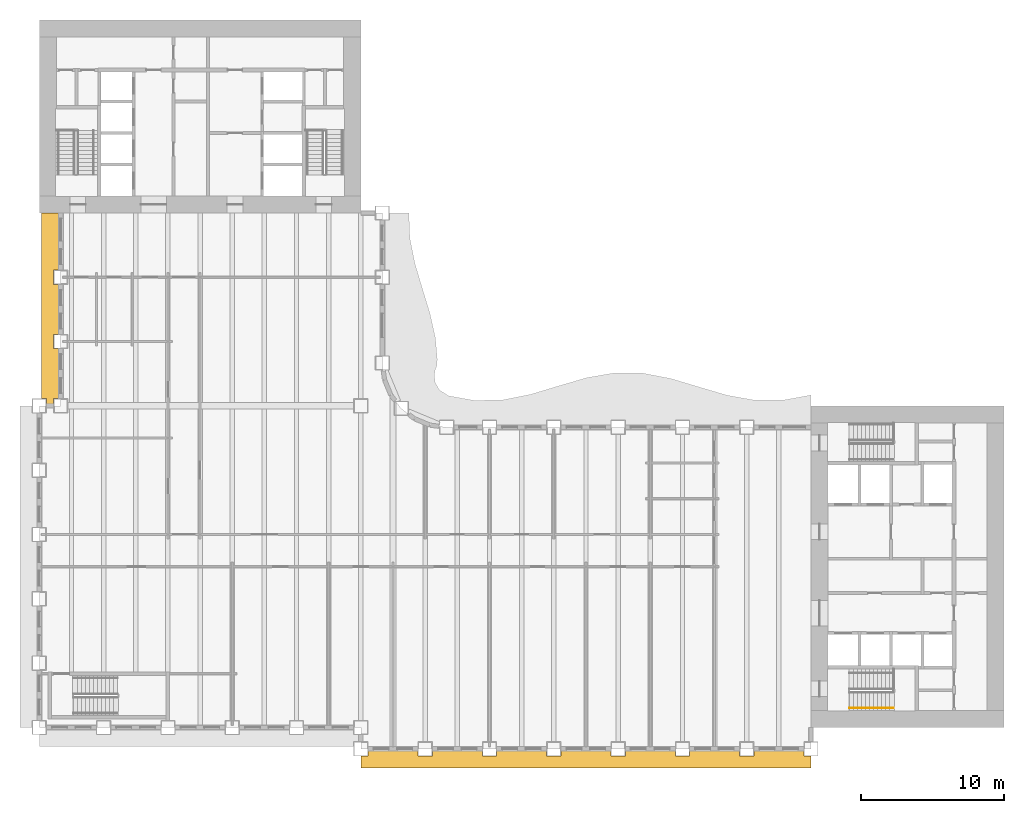
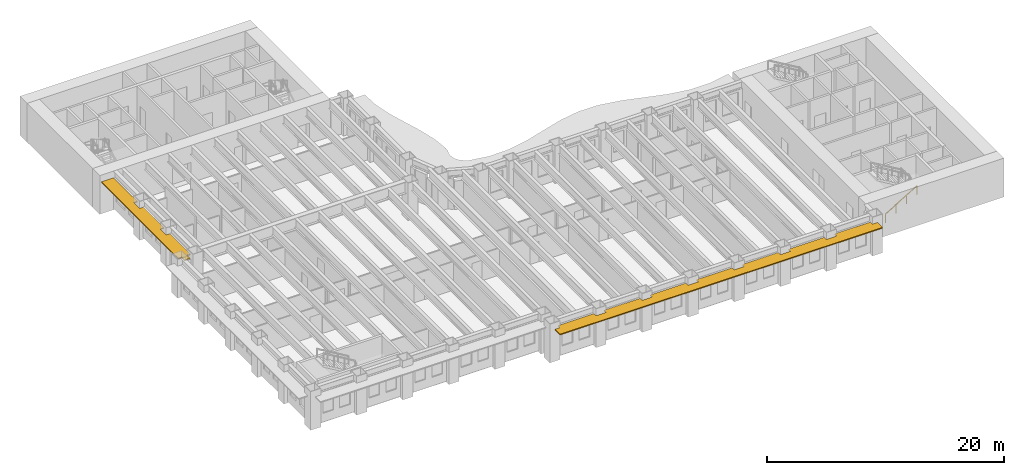
# One storey, part 12 of 16: 2 shading devices, 1 railing.
"""IFC4 building model written with IfcOpenShell, lengths in metres."""

from ifc_helpers import new_model, si_unit, direction, frame, origin, origin_2d, place, context, subcontext, project, spatial, polyline, rectangle, outline, extrude, material, layer, layer_set, type_object, element, save


model = new_model("IFC4")

# Units and contexts
model_context = context("Model", 3, precision=1e-05, world=origin(), true_north=direction((0.0, 1.0)))
body_context = subcontext(model_context, "Body", "Model", "MODEL_VIEW")
ifc_project = project(units=[si_unit("LENGTHUNIT", "METRE"), si_unit("AREAUNIT", "SQUARE_METRE"), si_unit("VOLUMEUNIT", "CUBIC_METRE"), si_unit("PLANEANGLEUNIT", "RADIAN"), si_unit("MASSUNIT", "GRAM", prefix="KILO")], contexts=[model_context])

# Site, building, storey
site_placement = place(None, origin())
site = spatial("IfcSite", under=ifc_project, at=site_placement, CompositionType="ELEMENT")
building_placement = place(site_placement, origin())
building = spatial("IfcBuilding", under=site, at=building_placement, Name="Sennacour Bend Tower", CompositionType="ELEMENT")
storey_placement = place(building_placement, frame((0.0, 0.0, 123.0)))
storey = spatial("IfcBuildingStorey", under=building, at=storey_placement, Name="L28", CompositionType="ELEMENT", Elevation=123.0)

# Railing
ifc_material_1 = material(Name="Stainless steel", Category="steel")
railing_type = type_object("IfcRailingType", Name="RL-HANDRAIL-900", PredefinedType="HANDRAIL", material=ifc_material_1)
railing_placement = place(storey_placement, frame((56.699951171875, 1.35009765625, 0.166748046875)))
element("IfcRailing", 1, at=railing_placement, inside=storey, type_object=railing_type, Name="L28 SA1 stair handrail 1", PredefinedType="HANDRAIL", context=body_context, shape_type="SweptSolid", body=[
    extrude(rectangle(XDim=0.048095703125, YDim=0.048095703125, at=origin_2d()), frame((0.0, 0.0, 0.8759765625), z_axis=(0.859308565015, 0.0, 0.511457515432), x_axis=(0.0, 1.0, 0.0)), (0.0, 0.0, 1.0), 3.58447265625),
    extrude(rectangle(XDim=0.0419921875, YDim=0.0419921875, at=origin_2d()), origin(), (0.0, 0.0, 1.0), 0.851806640625),
    extrude(rectangle(XDim=0.0419921875, YDim=0.0419921875, at=origin_2d()), frame((1.026611328125, 0.0, 0.611083984375)), (0.0, 0.0, 1.0), 0.851806640625),
    extrude(rectangle(XDim=0.0419921875, YDim=0.0419921875, at=origin_2d()), frame((2.053466796875, 0.0, 1.22216796875)), (0.0, 0.0, 1.0), 0.851806640625),
    extrude(rectangle(XDim=0.0419921875, YDim=0.0419921875, at=origin_2d()), frame((3.080078125, 0.0, 1.833251953125)), (0.0, 0.0, 1.0), 0.851806640625),
])

# Shading devices
ifc_material_2 = material(Name="Bronze anodised aluminium", Category="aluminium")
ifc_layer = layer(ifc_material_2, 0.10009765625, Name="Bronze anodised aluminium", Category="aluminium")
ifc_layer_set = layer_set([ifc_layer], Name="Bronze anodised aluminium")
shading_device_type = type_object("IfcShadingDeviceType", Name="SUNSHADE BAND STRAIGHT", PredefinedType="USERDEFINED", material=ifc_layer_set)
shading_device_1_placement = place(storey_placement, frame((0.0, 0.0, 3.053955078125)))
element("IfcShadingDevice", 2, at=shading_device_1_placement, inside=storey, type_object=shading_device_type, Name="Sunshade band L28 A outer face", ObjectType="SUNSHADE", PredefinedType="USERDEFINED", context=body_context, shape_type="SweptSolid", body=[
    extrude(outline(polyline([(26.5, -1.64990234375), (26.5, -2.0), (27.5, -2.0), (27.5, -1.64990234375), (31.0, -1.64990234375), (31.0, -2.0), (32.0, -2.0), (32.0, -1.64990234375), (35.5, -1.64990234375), (35.5, -2.0), (36.5, -2.0), (36.5, -1.64990234375), (40.0, -1.64990234375), (40.0, -2.0), (41.0, -2.0), (41.0, -1.64990234375), (44.5, -1.64990234375), (44.5, -2.0), (45.5, -2.0), (45.5, -1.64990234375), (49.0, -1.64990234375), (49.0, -2.0), (50.0, -2.0), (50.0, -1.64990234375), (53.5, -1.64990234375), (53.5, -2.0), (54.0, -2.0), (54.0, -2.85009765625), (22.5, -2.85009765625), (22.5, -2.0), (23.0, -2.0), (23.0, -1.64990234375), (26.5, -1.64990234375)])), origin(), (0.0, 0.0, 1.0), 0.10009765625),
])
shading_device_2_placement = place(storey_placement, frame((0.0, 0.0, 3.053955078125)))
element("IfcShadingDevice", 3, at=shading_device_2_placement, inside=storey, type_object=shading_device_type, Name="Sunshade band L28 B outer face", ObjectType="SUNSHADE", PredefinedType="USERDEFINED", context=body_context, shape_type="SweptSolid", body=[
    extrude(outline(polyline([(1.35009765625, 32.0), (1.0, 32.0), (1.0, 31.0), (1.35009765625, 31.0), (1.35009765625, 27.5), (1.0, 27.5), (1.0, 26.5), (1.35009765625, 26.5), (1.35009765625, 23.0), (1.0, 23.0), (1.0, 22.5), (0.5, 22.5), (0.5, 23.0), (0.14990234375, 23.0), (0.14990234375, 36.0), (1.35009765625, 36.0), (1.35009765625, 32.0)])), origin(), (0.0, 0.0, 1.0), 0.10009765625),
])

save(model, "model.ifc")
